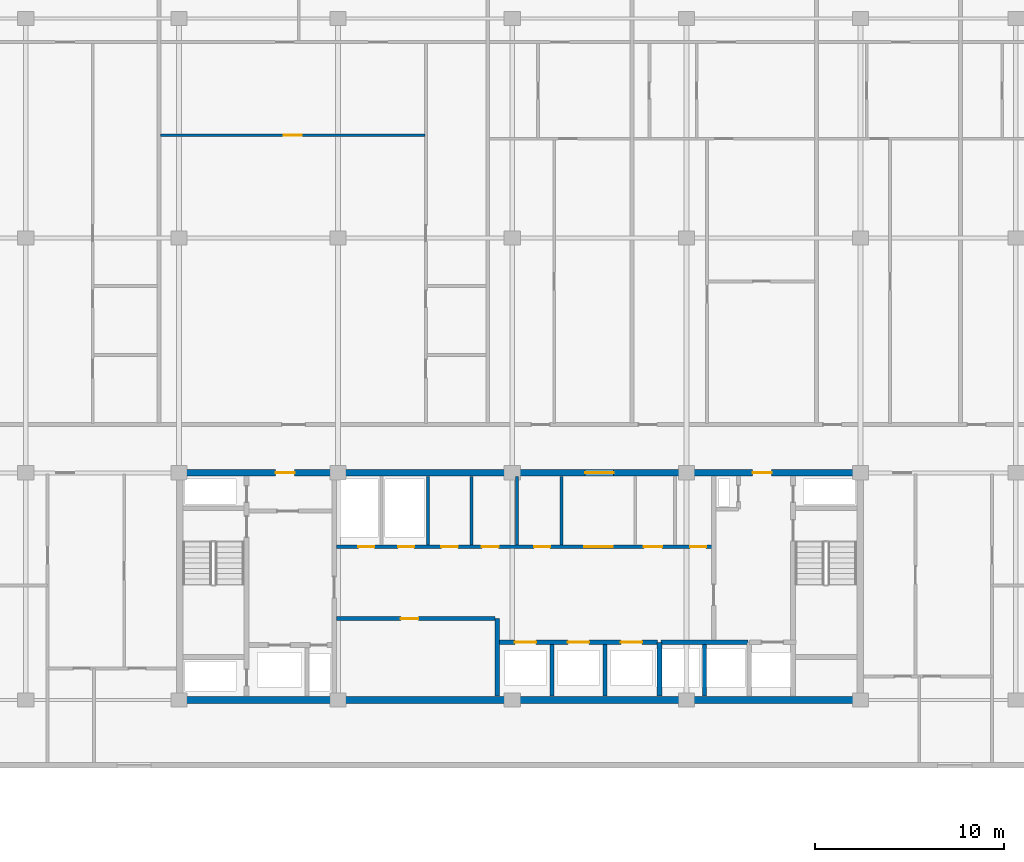
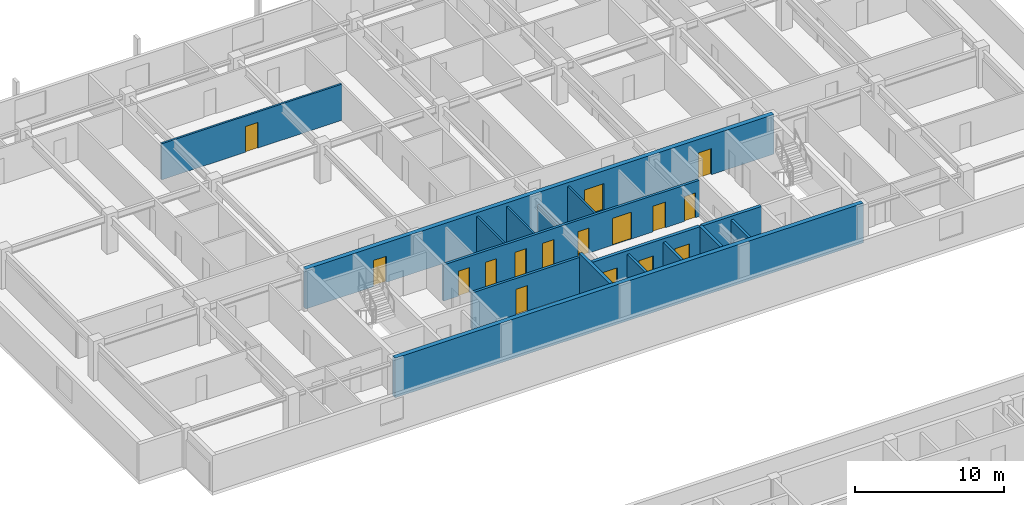
# One storey, part 11 of 21: 16 doors, 16 walls, 16 openings.
"""IFC4 building model written with IfcOpenShell, lengths in metres."""

from ifc_helpers import new_model, si_unit, direction, frame, frame_2d, origin, place, context, subcontext, project, spatial, rectangle, extrude, material, layer, layer_set, type_object, element, fill, save


model = new_model("IFC4")

# Units and contexts
model_context = context("Model", 3, precision=1e-05, world=origin(), true_north=direction((0.0, 1.0)))
body_context = subcontext(model_context, "Body", "Model", "MODEL_VIEW")
ifc_project = project(units=[si_unit("LENGTHUNIT", "METRE"), si_unit("AREAUNIT", "SQUARE_METRE"), si_unit("VOLUMEUNIT", "CUBIC_METRE"), si_unit("PLANEANGLEUNIT", "RADIAN"), si_unit("MASSUNIT", "GRAM", prefix="KILO")], contexts=[model_context])

# Site, building, storey
site_placement = place(None, origin())
site = spatial("IfcSite", under=ifc_project, at=site_placement, CompositionType="ELEMENT")
building_placement = place(site_placement, origin())
building = spatial("IfcBuilding", under=site, at=building_placement, Name="Korimba Cascade Residences", CompositionType="ELEMENT")
storey_placement = place(building_placement, frame((0.0, 0.0, 171.85009765625)))
storey = spatial("IfcBuildingStorey", under=building, at=storey_placement, Name="L49", CompositionType="ELEMENT", Elevation=171.85009765625)

# Wall
ifc_material_1 = material(Name="Concrete C65/80", Category="concrete")
ifc_layer_1 = layer(ifc_material_1, 0.35009765625)
ifc_layer_set_1 = layer_set([ifc_layer_1], Name="Concrete C65/80")
wall_type_1 = type_object("IfcWallType", Name="WAL-CORE-350", PredefinedType="SHEAR", material=ifc_layer_set_1)
wall_1_placement = place(storey_placement, frame((75.949951171875, 55.199951171875, 0.0), z_axis=(0.0, 0.0, 1.0), x_axis=(1.0, 0.0, 0.0)))
element("IfcWall", 1, at=wall_1_placement, inside=storey, type_object=wall_type_1, Name="L49 Core Shear Wall CW-L49-T1-S", PredefinedType="SHEAR", context=body_context, shape_type="SweptSolid", body=[
    extrude(rectangle(XDim=36.300048828125, YDim=0.35009765625, at=frame_2d((18.14990234375, 0.0))), origin(), (0.0, 0.0, 1.0), 3.25),
])

# Wall, openings, doors
wall_2_placement = place(storey_placement, frame((75.949951171875, 67.199951171875, 0.0), z_axis=(0.0, 0.0, 1.0), x_axis=(1.0, 0.0, 0.0)))
wall_2 = element("IfcWall", 2, at=wall_2_placement, inside=storey, type_object=wall_type_1, Name="L49 Core Shear Wall CW-L49-T1-N", PredefinedType="SHEAR", context=body_context, shape_type="SweptSolid", body=[
    extrude(rectangle(XDim=36.300048828125, YDim=0.35009765625, at=frame_2d((18.14990234375, 0.0))), origin(), (0.0, 0.0, 1.0), 3.25),
])
opening_1_placement = place(wall_2_placement, frame((5.25, 0.0, 0.0)))
opening_1 = element("IfcOpeningElement", 3, at=opening_1_placement, cuts=wall_2, Name="Opening D-FD5", PredefinedType="OPENING", context=body_context, shape_type="SweptSolid", body=[
    extrude(rectangle(XDim=1.0, YDim=2.14990234375, at=frame_2d((0.5, 1.074951171875))), frame((0.0, 0.18505859375, 0.0), z_axis=(0.0, -1.0, 0.0), x_axis=(1.0, 0.0, 0.0)), (0.0, 0.0, 1.0), 0.3701171875),
])
opening_2_placement = place(wall_2_placement, frame((21.60009765625, 0.0, 0.0)))
opening_2 = element("IfcOpeningElement", 4, at=opening_2_placement, cuts=wall_2, Name="Opening D-FD8", PredefinedType="OPENING", context=body_context, shape_type="SweptSolid", body=[
    extrude(rectangle(XDim=1.5, YDim=2.199951171875, at=frame_2d((0.75, 1.10009765625))), frame((0.0, 0.18505859375, 0.0), z_axis=(0.0, -1.0, 0.0), x_axis=(1.0, 0.0, 0.0)), (0.0, 0.0, 1.0), 0.3701171875),
])
opening_3_placement = place(wall_2_placement, frame((30.449951171875, 0.0, 0.0)))
opening_3 = element("IfcOpeningElement", 5, at=opening_3_placement, cuts=wall_2, Name="Opening D-FD5", PredefinedType="OPENING", context=body_context, shape_type="SweptSolid", body=[
    extrude(rectangle(XDim=1.0, YDim=2.14990234375, at=frame_2d((0.5, 1.074951171875))), frame((0.0, 0.18505859375, 0.0), z_axis=(0.0, -1.0, 0.0), x_axis=(1.0, 0.0, 0.0)), (0.0, 0.0, 1.0), 0.3701171875),
])
ifc_material_2 = material(Name="Fire-Rated Acoustic Timber Vestibule Door", Category="wood")
door_type_1 = type_object("IfcDoorType", Name="DR-FD90-1000", OperationType="NOTDEFINED", PredefinedType="DOOR", material=ifc_material_2)
door_1_placement = place(opening_1_placement, origin())
door_1 = element("IfcDoor", 6, at=door_1_placement, inside=storey, type_object=door_type_1, Name="L49 T1 West Core Vestibule Fire Door", OperationType="SINGLE_SWING_LEFT", OverallHeight=2.14990234375, OverallWidth=1.0, PredefinedType="DOOR", context=body_context, shape_type="SweptSolid", body=[
    extrude(rectangle(XDim=1.0, YDim=2.14990234375, at=frame_2d((0.5, 1.074951171875))), frame((0.0, 0.02490234375, 0.0), z_axis=(0.0, -1.0, 0.0), x_axis=(1.0, 0.0, 0.0)), (0.0, 0.0, 1.0), 0.050048828125),
])
fill(opening_1, door_1)
door_2_placement = place(opening_3_placement, origin())
door_2 = element("IfcDoor", 7, at=door_2_placement, inside=storey, type_object=door_type_1, Name="L49 T1 East Firefighting Vestibule Fire Door", OperationType="SINGLE_SWING_RIGHT", OverallHeight=2.14990234375, OverallWidth=1.0, PredefinedType="DOOR", context=body_context, shape_type="SweptSolid", body=[
    extrude(rectangle(XDim=1.0, YDim=2.14990234375, at=frame_2d((0.5, 1.074951171875))), frame((0.0, 0.02490234375, 0.0), z_axis=(0.0, -1.0, 0.0), x_axis=(1.0, 0.0, 0.0)), (0.0, 0.0, 1.0), 0.050048828125),
])
fill(opening_3, door_2)
ifc_material_3 = material(Name="Fire-Rated Glazed Lift Lobby Double Door", Category="glass")
door_type_2 = type_object("IfcDoorType", Name="DR-FD90-1500", OperationType="NOTDEFINED", PredefinedType="DOOR", material=ifc_material_3)
door_3_placement = place(opening_2_placement, origin())
door_3 = element("IfcDoor", 8, at=door_3_placement, inside=storey, type_object=door_type_2, Name="L49 T1 Lift Lobby Fire Door", OperationType="DOUBLE_DOOR_SINGLE_SWING", OverallHeight=2.199951171875, OverallWidth=1.5, PredefinedType="DOOR", context=body_context, shape_type="SweptSolid", body=[
    extrude(rectangle(XDim=1.5, YDim=2.199951171875, at=frame_2d((0.75, 1.10009765625))), frame((0.0, 0.02490234375, 0.0), z_axis=(0.0, -1.0, 0.0), x_axis=(1.0, 0.0, 0.0)), (0.0, 0.0, 1.0), 0.050048828125),
])
fill(opening_2, door_3)

# Walls
ifc_material_4 = material(Name="Insulated Acoustic Stud Partition", Category="gypsum")
ifc_layer_2 = layer(ifc_material_4, 0.14990234375)
ifc_layer_set_2 = layer_set([ifc_layer_2], Name="Insulated Acoustic Stud Partition")
wall_type_2 = type_object("IfcWallType", Name="WAL-PART-150", PredefinedType="PARTITIONING", material=ifc_layer_set_2)
for number, where, z_axis, x_axis, name in (
    (9, (89.25, 63.39990234375, 0.0), (0.0, 0.0, 1.0), (0.0, 1.0, 0.0), "L49 Partition Wall CW-L49-T1-PRDIV"),
    (10, (91.550048828125, 63.39990234375, 0.0), (0.0, 0.0, 1.0), (0.0, 1.0, 0.0), "L49 Partition Wall CW-L49-T1-CA1W1"),
):
    element("IfcWall", number, at=place(storey_placement, frame(where, z_axis=z_axis, x_axis=x_axis)), inside=storey, type_object=wall_type_2, Name=name, PredefinedType="PARTITIONING", context=body_context, shape_type="SweptSolid", body=[
        extrude(rectangle(XDim=3.60009765625, YDim=0.14990234375, at=frame_2d((1.800048828125, 0.0))), origin(), (0.0, 0.0, 1.0), 2.969970703125),
    ])
wall_3_placement = place(storey_placement, frame((93.949951171875, 63.39990234375, 0.0), z_axis=(0.0, 0.0, 1.0), x_axis=(0.0, 1.0, 0.0)))
element("IfcWall", 11, at=wall_3_placement, inside=storey, type_object=wall_type_2, Name="L49 Partition Wall CW-L49-T1-CA1W2", PredefinedType="PARTITIONING", context=body_context, shape_type="SweptSolid", body=[
    extrude(rectangle(XDim=3.60009765625, YDim=0.14990234375, at=frame_2d((1.800048828125, 0.0))), origin(), (0.0, 0.0, 1.0), 2.277099609375),
])
wall_4_placement = place(storey_placement, frame((96.300048828125, 63.39990234375, 0.0), z_axis=(0.0, 0.0, 1.0), x_axis=(0.0, 1.0, 0.0)))
element("IfcWall", 12, at=wall_4_placement, inside=storey, type_object=wall_type_2, Name="L49 Partition Wall CW-L49-T1-THW", PredefinedType="PARTITIONING", context=body_context, shape_type="SweptSolid", body=[
    extrude(rectangle(XDim=3.60009765625, YDim=0.14990234375, at=frame_2d((1.800048828125, 0.0))), origin(), (0.0, 0.0, 1.0), 2.969970703125),
])

# Wall, opening, door
wall_5_placement = place(storey_placement, frame((75.121337890625, 85.030029296875, 0.0), z_axis=(0.0, 0.0, 1.0), x_axis=(1.0, 0.0, 0.0)))
wall_5 = element("IfcWall", 13, at=wall_5_placement, inside=storey, type_object=wall_type_2, Name="L49 Partition Wall WAL-L49-T1-U02-CARH", PredefinedType="PARTITIONING", context=body_context, shape_type="SweptSolid", body=[
    extrude(rectangle(XDim=13.973388671875, YDim=0.14990234375, at=frame_2d((6.98681640625, 0.0))), origin(), (0.0, 0.0, 1.0), 2.969970703125),
])
opening_4_placement = place(wall_5_placement, frame((6.5166015625, 0.0, 0.0)))
opening_4 = element("IfcOpeningElement", 14, at=opening_4_placement, cuts=wall_5, Name="Opening D-IN0", PredefinedType="OPENING", context=body_context, shape_type="SweptSolid", body=[
    extrude(rectangle(XDim=0.93994140625, YDim=2.10009765625, at=frame_2d((0.469970703125, 1.050048828125))), frame((0.0, 0.0849609375, 0.0), z_axis=(0.0, -1.0, 0.0), x_axis=(1.0, 0.0, 0.0)), (0.0, 0.0, 1.0), 0.169921875),
])
ifc_material_5 = material(Name="Acoustic Timber Living Archway Door", Category="wood")
door_type_3 = type_object("IfcDoorType", Name="DR-INT-950", OperationType="NOTDEFINED", PredefinedType="DOOR", material=ifc_material_5)
door_4_placement = place(opening_4_placement, origin())
door_4 = element("IfcDoor", 15, at=door_4_placement, inside=storey, type_object=door_type_3, Name="L49-T1-U02 Wellness Clinic Foyer Door", OperationType="SINGLE_SWING_RIGHT", OverallHeight=2.10009765625, OverallWidth=0.93994140625, PredefinedType="DOOR", context=body_context, shape_type="SweptSolid", body=[
    extrude(rectangle(XDim=0.93994140625, YDim=2.10009765625, at=frame_2d((0.469970703125, 1.050048828125))), frame((0.0, 0.02490234375, 0.0), z_axis=(0.0, -1.0, 0.0), x_axis=(1.0, 0.0, 0.0)), (0.0, 0.0, 1.0), 0.050048828125),
])
fill(opening_4, door_4)

ifc_material_6 = material(Name="Concrete C40/50", Category="concrete")
ifc_layer_3 = layer(ifc_material_6, 0.199951171875)
ifc_layer_set_3 = layer_set([ifc_layer_3], Name="Concrete C40/50")
wall_type_3 = type_object("IfcWallType", Name="WAL-PART-200", PredefinedType="PARTITIONING", material=ifc_layer_set_3)
wall_6_placement = place(storey_placement, frame((84.419921875, 59.5, 0.0), z_axis=(0.0, 0.0, 1.0), x_axis=(1.0, 0.0, 0.0)))
wall_6 = element("IfcWall", 16, at=wall_6_placement, inside=storey, type_object=wall_type_3, Name="L49 Partition Wall CW-L49-T1-B1RN", PredefinedType="PARTITIONING", context=body_context, shape_type="SweptSolid", body=[
    extrude(rectangle(XDim=8.360107421875, YDim=0.199951171875, at=frame_2d((4.18017578125, 0.0))), origin(), (0.0, 0.0, 1.0), 2.969970703125),
])
opening_5_placement = place(wall_6_placement, frame((3.39990234375, 0.0, 0.0)))
opening_5 = element("IfcOpeningElement", 17, at=opening_5_placement, cuts=wall_6, Name="Opening D-ST1", PredefinedType="OPENING", context=body_context, shape_type="SweptSolid", body=[
    extrude(rectangle(XDim=0.919921875, YDim=2.080078125, at=frame_2d((0.4599609375, 1.0400390625))), frame((0.0, 0.10986328125, 0.0), z_axis=(0.0, -1.0, 0.0), x_axis=(1.0, 0.0, 0.0)), (0.0, 0.0, 1.0), 0.219970703125),
])
ifc_material_7 = material(Name="Fire-Rated Core Store Door", Category="wood")
door_type_4 = type_object("IfcDoorType", Name="DR-FD60-920", OperationType="NOTDEFINED", PredefinedType="DOOR", material=ifc_material_7)
door_5_placement = place(opening_5_placement, origin())
door_5 = element("IfcDoor", 18, at=door_5_placement, inside=storey, type_object=door_type_4, Name="L49 Resident Storage Door", OperationType="SINGLE_SWING_LEFT", OverallHeight=2.080078125, OverallWidth=0.919921875, PredefinedType="DOOR", context=body_context, shape_type="SweptSolid", body=[
    extrude(rectangle(XDim=0.919921875, YDim=2.080078125, at=frame_2d((0.4599609375, 1.0400390625))), frame((0.0, 0.02490234375, 0.0), z_axis=(0.0, -1.0, 0.0), x_axis=(1.0, 0.0, 0.0)), (0.0, 0.0, 1.0), 0.050048828125),
])
fill(opening_5, door_5)

# Walls
for number, where, z_axis, x_axis, name in (
    (19, (95.800048828125, 55.39990234375, 0.0), (0.0, 0.0, 1.0), (0.0, 1.0, 0.0), "L49 Partition Wall CW-L49-T1-B2D1"),
    (20, (98.60009765625, 55.39990234375, 0.0), (0.0, 0.0, 1.0), (0.0, 1.0, 0.0), "L49 Partition Wall CW-L49-T1-B2D2"),
    (21, (103.85009765625, 55.39990234375, 0.0), (0.0, 0.0, 1.0), (0.0, 1.0, 0.0), "L49 Partition Wall CW-L49-T1-B3D1"),
):
    element("IfcWall", number, at=place(storey_placement, frame(where, z_axis=z_axis, x_axis=x_axis)), inside=storey, type_object=wall_type_3, Name=name, PredefinedType="PARTITIONING", context=body_context, shape_type="SweptSolid", body=[
        extrude(rectangle(XDim=2.72021484375, YDim=0.199951171875, at=frame_2d((1.360107421875, 0.0))), origin(), (0.0, 0.0, 1.0), 2.969970703125),
    ])

# Wall, openings, doors
wall_7_placement = place(storey_placement, frame((84.419921875, 63.300048828125, 0.0), z_axis=(0.0, 0.0, 1.0), x_axis=(1.0, 0.0, 0.0)))
wall_7 = element("IfcWall", 22, at=wall_7_placement, inside=storey, type_object=wall_type_3, Name="L49 Partition Wall CW-L49-T1-SRVROW", PredefinedType="PARTITIONING", context=body_context, shape_type="SweptSolid", body=[
    extrude(rectangle(XDim=19.830078125, YDim=0.199951171875, at=frame_2d((9.9150390625, 0.0))), origin(), (0.0, 0.0, 1.0), 2.969970703125),
])
opening_6_placement = place(wall_7_placement, frame((1.14990234375, 0.0, 0.0)))
opening_6 = element("IfcOpeningElement", 23, at=opening_6_placement, cuts=wall_7, Name="Opening D-RS1", PredefinedType="OPENING", context=body_context, shape_type="SweptSolid", body=[
    extrude(rectangle(XDim=0.85009765625, YDim=2.050048828125, at=frame_2d((0.425048828125, 1.02490234375))), frame((0.0, 0.10986328125, 0.0), z_axis=(0.0, -1.0, 0.0), x_axis=(1.0, 0.0, 0.0)), (0.0, 0.0, 1.0), 0.219970703125),
])
opening_7_placement = place(wall_7_placement, frame((3.25, 0.0, 0.0)))
opening_7 = element("IfcOpeningElement", 24, at=opening_7_placement, cuts=wall_7, Name="Opening D-RS1", PredefinedType="OPENING", context=body_context, shape_type="SweptSolid", body=[
    extrude(rectangle(XDim=0.85009765625, YDim=2.050048828125, at=frame_2d((0.425048828125, 1.02490234375))), frame((0.0, 0.10986328125, 0.0), z_axis=(0.0, -1.0, 0.0), x_axis=(1.0, 0.0, 0.0)), (0.0, 0.0, 1.0), 0.219970703125),
])
opening_8_placement = place(wall_7_placement, frame((13.080078125, 0.0, 0.0)))
opening_8 = element("IfcOpeningElement", 25, at=opening_8_placement, cuts=wall_7, Name="Opening D-FD8", PredefinedType="OPENING", context=body_context, shape_type="SweptSolid", body=[
    extrude(rectangle(XDim=1.5, YDim=2.199951171875, at=frame_2d((0.75, 1.10009765625))), frame((0.0, 0.10986328125, 0.0), z_axis=(0.0, -1.0, 0.0), x_axis=(1.0, 0.0, 0.0)), (0.0, 0.0, 1.0), 0.219970703125),
])
opening_9_placement = place(wall_7_placement, frame((5.530029296875, 0.0, 0.0)))
opening_9 = element("IfcOpeningElement", 26, at=opening_9_placement, cuts=wall_7, Name="Opening D-IN2", PredefinedType="OPENING", context=body_context, shape_type="SweptSolid", body=[
    extrude(rectangle(XDim=0.8798828125, YDim=2.06005859375, at=frame_2d((0.43994140625, 1.030029296875))), frame((0.0, 0.10986328125, 0.0), z_axis=(0.0, -1.0, 0.0), x_axis=(1.0, 0.0, 0.0)), (0.0, 0.0, 1.0), 0.219970703125),
])
opening_10_placement = place(wall_7_placement, frame((7.679931640625, 0.0, 0.0)))
opening_10 = element("IfcOpeningElement", 27, at=opening_10_placement, cuts=wall_7, Name="Opening D-IN2", PredefinedType="OPENING", context=body_context, shape_type="SweptSolid", body=[
    extrude(rectangle(XDim=0.8798828125, YDim=2.06005859375, at=frame_2d((0.43994140625, 1.030029296875))), frame((0.0, 0.10986328125, 0.0), z_axis=(0.0, -1.0, 0.0), x_axis=(1.0, 0.0, 0.0)), (0.0, 0.0, 1.0), 0.219970703125),
])
opening_11_placement = place(wall_7_placement, frame((10.429931640625, 0.0, 0.0)))
opening_11 = element("IfcOpeningElement", 28, at=opening_11_placement, cuts=wall_7, Name="Opening D-RS1", PredefinedType="OPENING", context=body_context, shape_type="SweptSolid", body=[
    extrude(rectangle(XDim=0.85009765625, YDim=2.050048828125, at=frame_2d((0.425048828125, 1.02490234375))), frame((0.0, 0.10986328125, 0.0), z_axis=(0.0, -1.0, 0.0), x_axis=(1.0, 0.0, 0.0)), (0.0, 0.0, 1.0), 0.219970703125),
])
opening_12_placement = place(wall_7_placement, frame((16.22998046875, 0.0, 0.0)))
opening_12 = element("IfcOpeningElement", 29, at=opening_12_placement, cuts=wall_7, Name="Opening D-AC1", PredefinedType="OPENING", context=body_context, shape_type="SweptSolid", body=[
    extrude(rectangle(XDim=0.9599609375, YDim=2.10009765625, at=frame_2d((0.47998046875, 1.050048828125))), frame((0.0, 0.10986328125, 0.0), z_axis=(0.0, -1.0, 0.0), x_axis=(1.0, 0.0, 0.0)), (0.0, 0.0, 1.0), 0.219970703125),
])
opening_13_placement = place(wall_7_placement, frame((18.679931640625, 0.0, 0.0)))
opening_13 = element("IfcOpeningElement", 30, at=opening_13_placement, cuts=wall_7, Name="Opening D-BT1", PredefinedType="OPENING", context=body_context, shape_type="SweptSolid", body=[
    extrude(rectangle(XDim=0.840087890625, YDim=2.0400390625, at=frame_2d((0.419921875, 1.02001953125))), frame((0.0, 0.10986328125, 0.0), z_axis=(0.0, -1.0, 0.0), x_axis=(1.0, 0.0, 0.0)), (0.0, 0.0, 1.0), 0.219970703125),
])
ifc_material_8 = material(Name="Accessible Acoustic Timber WC Door", Category="wood")
door_type_5 = type_object("IfcDoorType", Name="DR-ACC-950", OperationType="NOTDEFINED", PredefinedType="DOOR", material=ifc_material_8)
door_6_placement = place(opening_12_placement, origin())
door_6 = element("IfcDoor", 31, at=door_6_placement, inside=storey, type_object=door_type_5, Name="L49 Accessible Staff WC Door", OperationType="SINGLE_SWING_LEFT", OverallHeight=2.10009765625, OverallWidth=0.9599609375, PredefinedType="DOOR", context=body_context, shape_type="SweptSolid", body=[
    extrude(rectangle(XDim=0.9599609375, YDim=2.10009765625, at=frame_2d((0.47998046875, 1.050048828125))), frame((0.0, 0.02490234375, 0.0), z_axis=(0.0, -1.0, 0.0), x_axis=(1.0, 0.0, 0.0)), (0.0, 0.0, 1.0), 0.050048828125),
])
fill(opening_12, door_6)
ifc_material_9 = material(Name="Fire-Rated Steel Riser Access Door", Category="steel")
door_type_6 = type_object("IfcDoorType", Name="DR-FD60-850", OperationType="NOTDEFINED", PredefinedType="DOOR", material=ifc_material_9)
door_7_placement = place(opening_6_placement, origin())
door_7 = element("IfcDoor", 32, at=door_7_placement, inside=storey, type_object=door_type_6, Name="L49 Electrical Riser Door", OperationType="SINGLE_SWING_RIGHT", OverallHeight=2.050048828125, OverallWidth=0.85009765625, PredefinedType="DOOR", context=body_context, shape_type="SweptSolid", body=[
    extrude(rectangle(XDim=0.85009765625, YDim=2.050048828125, at=frame_2d((0.425048828125, 1.02490234375))), frame((0.0, 0.02490234375, 0.0), z_axis=(0.0, -1.0, 0.0), x_axis=(1.0, 0.0, 0.0)), (0.0, 0.0, 1.0), 0.050048828125),
])
fill(opening_6, door_7)
door_8_placement = place(opening_7_placement, origin())
door_8 = element("IfcDoor", 33, at=door_8_placement, inside=storey, type_object=door_type_6, Name="L49 Plumbing Riser Door", OperationType="SINGLE_SWING_LEFT", OverallHeight=2.050048828125, OverallWidth=0.85009765625, PredefinedType="DOOR", context=body_context, shape_type="SweptSolid", body=[
    extrude(rectangle(XDim=0.85009765625, YDim=2.050048828125, at=frame_2d((0.425048828125, 1.02490234375))), frame((0.0, 0.02490234375, 0.0), z_axis=(0.0, -1.0, 0.0), x_axis=(1.0, 0.0, 0.0)), (0.0, 0.0, 1.0), 0.050048828125),
])
fill(opening_7, door_8)
door_9_placement = place(opening_11_placement, origin())
door_9 = element("IfcDoor", 34, at=door_9_placement, inside=storey, type_object=door_type_6, Name="L49 IT Room Door", OperationType="SINGLE_SWING_RIGHT", OverallHeight=2.050048828125, OverallWidth=0.85009765625, PredefinedType="DOOR", context=body_context, shape_type="SweptSolid", body=[
    extrude(rectangle(XDim=0.85009765625, YDim=2.050048828125, at=frame_2d((0.425048828125, 1.02490234375))), frame((0.0, 0.02490234375, 0.0), z_axis=(0.0, -1.0, 0.0), x_axis=(1.0, 0.0, 0.0)), (0.0, 0.0, 1.0), 0.050048828125),
])
fill(opening_11, door_9)
door_10_placement = place(opening_8_placement, origin())
door_10 = element("IfcDoor", 35, at=door_10_placement, inside=storey, type_object=door_type_2, Name="L49 Lift Lobby Foyer Archway Door", OperationType="DOUBLE_DOOR_SINGLE_SWING", OverallHeight=2.199951171875, OverallWidth=1.5, PredefinedType="DOOR", context=body_context, shape_type="SweptSolid", body=[
    extrude(rectangle(XDim=1.5, YDim=2.199951171875, at=frame_2d((0.75, 1.10009765625))), frame((0.0, 0.02490234375, 0.0), z_axis=(0.0, -1.0, 0.0), x_axis=(1.0, 0.0, 0.0)), (0.0, 0.0, 1.0), 0.050048828125),
])
fill(opening_8, door_10)
ifc_material_10 = material(Name="Moisture-Resistant Bathroom Timber Door", Category="wood")
door_type_7 = type_object("IfcDoorType", Name="DR-INT-850", OperationType="NOTDEFINED", PredefinedType="DOOR", material=ifc_material_10)
door_11_placement = place(opening_13_placement, origin())
door_11 = element("IfcDoor", 36, at=door_11_placement, inside=storey, type_object=door_type_7, Name="L49 Vending Room Door", OperationType="SINGLE_SWING_RIGHT", OverallHeight=2.0400390625, OverallWidth=0.840087890625, PredefinedType="DOOR", context=body_context, shape_type="SweptSolid", body=[
    extrude(rectangle(XDim=0.840087890625, YDim=2.0400390625, at=frame_2d((0.419921875, 1.02001953125))), frame((0.0, 0.02490234375, 0.0), z_axis=(0.0, -1.0, 0.0), x_axis=(1.0, 0.0, 0.0)), (0.0, 0.0, 1.0), 0.050048828125),
])
fill(opening_13, door_11)
ifc_material_11 = material(Name="Acoustic Timber Bedroom Door", Category="wood")
door_type_8 = type_object("IfcDoorType", Name="DR-INT-880", OperationType="NOTDEFINED", PredefinedType="DOOR", material=ifc_material_11)
door_12_placement = place(opening_9_placement, origin())
door_12 = element("IfcDoor", 37, at=door_12_placement, inside=storey, type_object=door_type_8, Name="L49 Cleaners Door", OperationType="SINGLE_SWING_RIGHT", OverallHeight=2.06005859375, OverallWidth=0.8798828125, PredefinedType="DOOR", context=body_context, shape_type="SweptSolid", body=[
    extrude(rectangle(XDim=0.8798828125, YDim=2.06005859375, at=frame_2d((0.43994140625, 1.030029296875))), frame((0.0, 0.02490234375, 0.0), z_axis=(0.0, -1.0, 0.0), x_axis=(1.0, 0.0, 0.0)), (0.0, 0.0, 1.0), 0.050048828125),
])
fill(opening_9, door_12)
door_13_placement = place(opening_10_placement, origin())
door_13 = element("IfcDoor", 38, at=door_13_placement, inside=storey, type_object=door_type_8, Name="L49 Pantry Door", OperationType="SINGLE_SWING_LEFT", OverallHeight=2.06005859375, OverallWidth=0.8798828125, PredefinedType="DOOR", context=body_context, shape_type="SweptSolid", body=[
    extrude(rectangle(XDim=0.8798828125, YDim=2.06005859375, at=frame_2d((0.43994140625, 1.030029296875))), frame((0.0, 0.02490234375, 0.0), z_axis=(0.0, -1.0, 0.0), x_axis=(1.0, 0.0, 0.0)), (0.0, 0.0, 1.0), 0.050048828125),
])
fill(opening_10, door_13)

# Wall
ifc_material_12 = material(Name="Concrete C50/60", Category="concrete")
ifc_layer_4 = layer(ifc_material_12, 0.25)
ifc_layer_set_4 = layer_set([ifc_layer_4], Name="Concrete C50/60")
wall_type_4 = type_object("IfcWallType", Name="WAL-SHAFT-250", PredefinedType="SHEAR", material=ifc_layer_set_4)
wall_8_placement = place(storey_placement, frame((92.89990234375, 55.39990234375, 0.0), z_axis=(0.0, 0.0, 1.0), x_axis=(0.0, 1.0, 0.0)))
element("IfcWall", 39, at=wall_8_placement, inside=storey, type_object=wall_type_4, Name="L49 Core Shear Wall CW-L49-T1-B12DIV", PredefinedType="SHEAR", context=body_context, shape_type="SweptSolid", body=[
    extrude(rectangle(XDim=4.10009765625, YDim=0.25, at=frame_2d((2.050048828125, 0.0))), origin(), (0.0, 0.0, 1.0), 3.25),
])

# Wall, openings, doors
wall_9_placement = place(storey_placement, frame((93.02001953125, 58.25, 0.0), z_axis=(0.0, 0.0, 1.0), x_axis=(1.0, 0.0, 0.0)))
wall_9 = element("IfcWall", 40, at=wall_9_placement, inside=storey, type_object=wall_type_4, Name="L49 Core Shear Wall CW-L49-T1-B2N", PredefinedType="SHEAR", context=body_context, shape_type="SweptSolid", body=[
    extrude(rectangle(XDim=8.35986328125, YDim=0.25, at=frame_2d((4.179931640625, 0.0))), origin(), (0.0, 0.0, 1.0), 3.25),
])
opening_14_placement = place(wall_9_placement, frame((0.820068359375, 0.0, 0.0)))
opening_14 = element("IfcOpeningElement", 41, at=opening_14_placement, cuts=wall_9, Name="Opening LD-01", PredefinedType="OPENING", context=body_context, shape_type="SweptSolid", body=[
    extrude(rectangle(XDim=1.1201171875, YDim=2.1201171875, at=frame_2d((0.56005859375, 1.06005859375))), frame((0.0, 0.135009765625, 0.0), z_axis=(0.0, -1.0, 0.0), x_axis=(1.0, 0.0, 0.0)), (0.0, 0.0, 1.0), 0.27001953125),
])
opening_15_placement = place(wall_9_placement, frame((3.6201171875, 0.0, 0.0)))
opening_15 = element("IfcOpeningElement", 42, at=opening_15_placement, cuts=wall_9, Name="Opening LD-01", PredefinedType="OPENING", context=body_context, shape_type="SweptSolid", body=[
    extrude(rectangle(XDim=1.1201171875, YDim=2.1201171875, at=frame_2d((0.56005859375, 1.06005859375))), frame((0.0, 0.135009765625, 0.0), z_axis=(0.0, -1.0, 0.0), x_axis=(1.0, 0.0, 0.0)), (0.0, 0.0, 1.0), 0.27001953125),
])
opening_16_placement = place(wall_9_placement, frame((6.419921875, 0.0, 0.0)))
opening_16 = element("IfcOpeningElement", 43, at=opening_16_placement, cuts=wall_9, Name="Opening LD-01", PredefinedType="OPENING", context=body_context, shape_type="SweptSolid", body=[
    extrude(rectangle(XDim=1.1201171875, YDim=2.1201171875, at=frame_2d((0.56005859375, 1.06005859375))), frame((0.0, 0.135009765625, 0.0), z_axis=(0.0, -1.0, 0.0), x_axis=(1.0, 0.0, 0.0)), (0.0, 0.0, 1.0), 0.27001953125),
])
ifc_material_13 = material(Name="Stainless Steel Lift Landing Sliding Door", Category="steel")
door_type_9 = type_object("IfcDoorType", Name="DR-LIFT-1100", OperationType="NOTDEFINED", PredefinedType="DOOR", material=ifc_material_13)
door_14_placement = place(opening_14_placement, origin())
door_14 = element("IfcDoor", 44, at=door_14_placement, inside=storey, type_object=door_type_9, Name="L49 Lift Landing Door PL-W4", OperationType="SLIDING_TO_RIGHT", OverallHeight=2.1201171875, OverallWidth=1.1201171875, PredefinedType="DOOR", context=body_context, shape_type="SweptSolid", body=[
    extrude(rectangle(XDim=1.1201171875, YDim=2.1201171875, at=frame_2d((0.56005859375, 1.06005859375))), frame((0.0, 0.02490234375, 0.0), z_axis=(0.0, -1.0, 0.0), x_axis=(1.0, 0.0, 0.0)), (0.0, 0.0, 1.0), 0.050048828125),
])
fill(opening_14, door_14)
door_15_placement = place(opening_15_placement, origin())
door_15 = element("IfcDoor", 45, at=door_15_placement, inside=storey, type_object=door_type_9, Name="L49 Lift Landing Door PL-W5", OperationType="SLIDING_TO_RIGHT", OverallHeight=2.1201171875, OverallWidth=1.1201171875, PredefinedType="DOOR", context=body_context, shape_type="SweptSolid", body=[
    extrude(rectangle(XDim=1.1201171875, YDim=2.1201171875, at=frame_2d((0.56005859375, 1.06005859375))), frame((0.0, 0.02490234375, 0.0), z_axis=(0.0, -1.0, 0.0), x_axis=(1.0, 0.0, 0.0)), (0.0, 0.0, 1.0), 0.050048828125),
])
fill(opening_15, door_15)
door_16_placement = place(opening_16_placement, origin())
door_16 = element("IfcDoor", 46, at=door_16_placement, inside=storey, type_object=door_type_9, Name="L49 Lift Landing Door PL-W6", OperationType="SLIDING_TO_RIGHT", OverallHeight=2.1201171875, OverallWidth=1.1201171875, PredefinedType="DOOR", context=body_context, shape_type="SweptSolid", body=[
    extrude(rectangle(XDim=1.1201171875, YDim=2.1201171875, at=frame_2d((0.56005859375, 1.06005859375))), frame((0.0, 0.02490234375, 0.0), z_axis=(0.0, -1.0, 0.0), x_axis=(1.0, 0.0, 0.0)), (0.0, 0.0, 1.0), 0.050048828125),
])
fill(opening_16, door_16)

# Walls
wall_10_placement = place(storey_placement, frame((101.47998046875, 55.39990234375, 0.0), z_axis=(0.0, 0.0, 1.0), x_axis=(0.0, 1.0, 0.0)))
element("IfcWall", 47, at=wall_10_placement, inside=storey, type_object=wall_type_4, Name="L49 Core Shear Wall CW-L49-T1-B23DIV", PredefinedType="SHEAR", context=body_context, shape_type="SweptSolid", body=[
    extrude(rectangle(XDim=2.85009765625, YDim=0.25, at=frame_2d((1.425048828125, 0.0))), origin(), (0.0, 0.0, 1.0), 3.25),
])
wall_11_placement = place(storey_placement, frame((101.550048828125, 58.25, 0.0), z_axis=(0.0, 0.0, 1.0), x_axis=(1.0, 0.0, 0.0)))
element("IfcWall", 48, at=wall_11_placement, inside=storey, type_object=wall_type_4, Name="L49 Core Shear Wall CW-L49-T1-B3N", PredefinedType="SHEAR", context=body_context, shape_type="SweptSolid", body=[
    extrude(rectangle(XDim=4.599853515625, YDim=0.25, at=frame_2d((2.2998046875, 0.0))), origin(), (0.0, 0.0, 1.0), 3.25),
])

save(model, "model.ifc")
